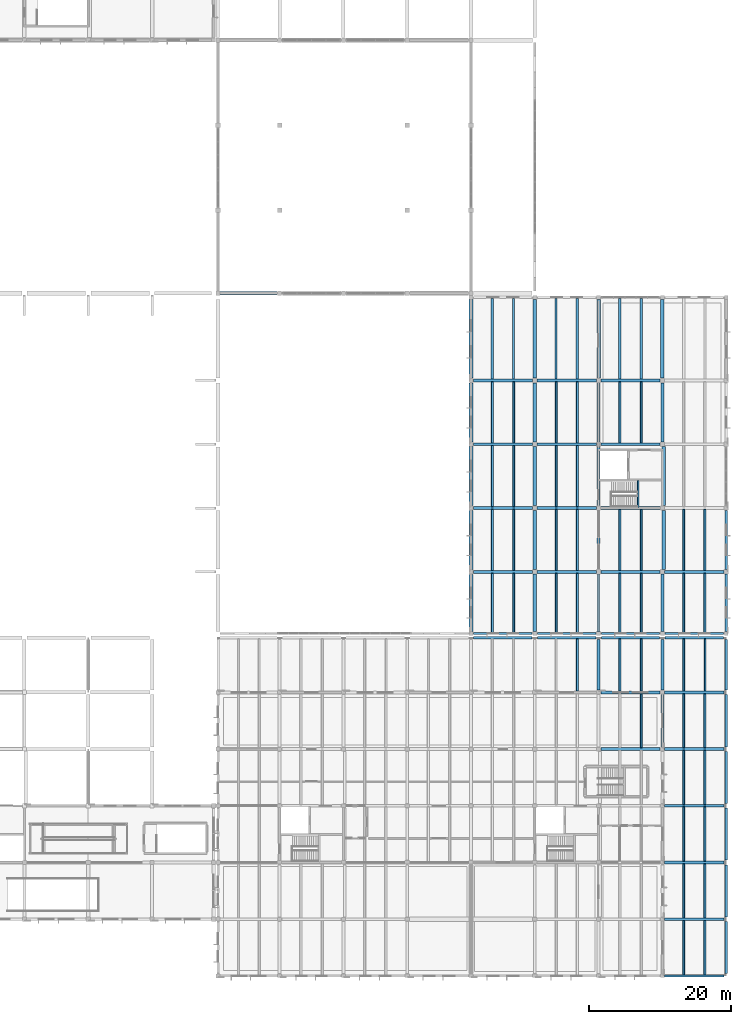
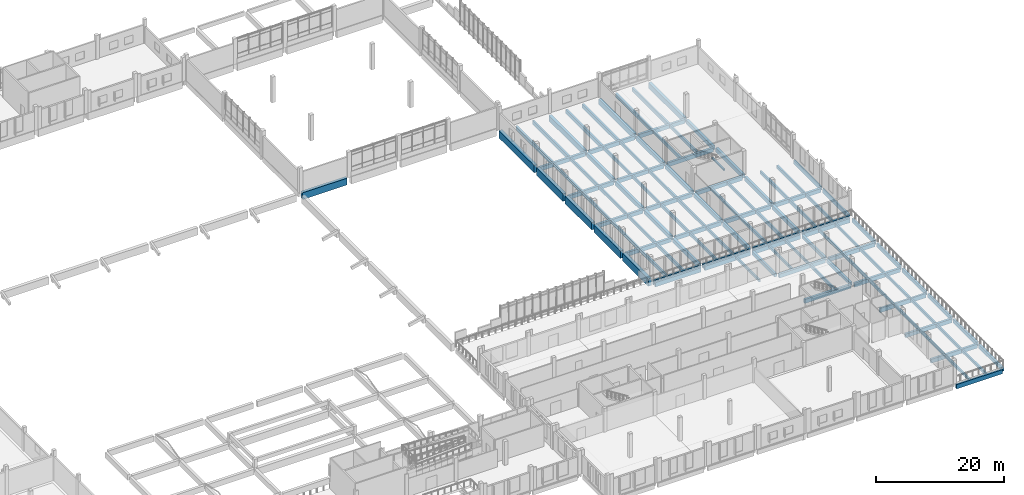
# One storey, part 17 of 63: 110 beams.
"""IFC4 building model written with IfcOpenShell, lengths in metres."""

from ifc_helpers import new_model, si_unit, direction, frame, origin, origin_2d, place, context, subcontext, project, spatial, rectangle, extrude, material, material_profile, profile_set, type_object, element, save


model = new_model("IFC4")

# Units and contexts
model_context = context("Model", 3, precision=1e-05, world=origin(), true_north=direction((0.0, 1.0)))
body_context = subcontext(model_context, "Body", "Model", "MODEL_VIEW")
ifc_project = project(units=[si_unit("LENGTHUNIT", "METRE"), si_unit("AREAUNIT", "SQUARE_METRE"), si_unit("VOLUMEUNIT", "CUBIC_METRE"), si_unit("PLANEANGLEUNIT", "RADIAN"), si_unit("MASSUNIT", "GRAM", prefix="KILO")], contexts=[model_context])

# Site, building, storey
site_placement = place(None, origin())
site = spatial("IfcSite", under=ifc_project, at=site_placement, CompositionType="ELEMENT")
building_placement = place(site_placement, origin())
building = spatial("IfcBuilding", under=site, at=building_placement, Name="Zacnel Wholesale Market", CompositionType="ELEMENT")
storey_placement = place(building_placement, frame((0.0, 0.0, 11.199951171875)))
storey = spatial("IfcBuildingStorey", under=building, at=storey_placement, Name="L03", CompositionType="ELEMENT", Elevation=11.199951171875)

# Beams
ifc_material_1 = material(Name="Precast concrete C45/55", Category="concrete")
ifc_material_profile_1 = material_profile(ifc_material_1, rectangle(XDim=0.280029296875, YDim=0.550048828125, at=origin_2d()), Name="DT RIB 280x550")
ifc_profile_set_1 = profile_set([ifc_material_profile_1], Name="Precast concrete C45/55")
beam_type_1 = type_object("IfcBeamType", Name="BM-DT550", PredefinedType="JOIST", material=ifc_profile_set_1)
for number, where, z_axis, x_axis, name in (
    (1, (210.0, 0.159912109375, -0.614990234375), (0.0, 1.0, 0.0), (-1.0, 0.0, 0.0), "Precast secondary joist L03-0361"),
    (2, (213.0, 0.159912109375, -0.614990234375), (0.0, 1.0, 0.0), (-1.0, 0.0, 0.0), "Precast secondary joist L03-0362"),
):
    element("IfcBeam", number, at=place(storey_placement, frame(where, z_axis=z_axis, x_axis=x_axis)), inside=storey, type_object=beam_type_1, Name=name, PredefinedType="JOIST", context=body_context, shape_type="SweptSolid", body=[
        extrude(rectangle(XDim=0.280029296875, YDim=0.550048828125, at=origin_2d()), origin(), (0.0, 0.0, 1.0), 7.64013671875),
    ])
for number, where, z_axis, x_axis, name in (
    (3, (210.0, 8.199951171875, -0.614990234375), (0.0, 1.0, 0.0), (-1.0, 0.0, 0.0), "Precast secondary joist L03-0379"),
    (4, (213.0, 8.199951171875, -0.614990234375), (0.0, 1.0, 0.0), (-1.0, 0.0, 0.0), "Precast secondary joist L03-0380"),
):
    element("IfcBeam", number, at=place(storey_placement, frame(where, z_axis=z_axis, x_axis=x_axis)), inside=storey, type_object=beam_type_1, Name=name, PredefinedType="JOIST", context=body_context, shape_type="SweptSolid", body=[
        extrude(rectangle(XDim=0.280029296875, YDim=0.550048828125, at=origin_2d()), origin(), (0.0, 0.0, 1.0), 7.60009765625),
    ])
for number, where, z_axis, x_axis, name in (
    (5, (210.0, 16.199951171875, -0.614990234375), (0.0, 1.0, 0.0), (-1.0, 0.0, 0.0), "Precast secondary joist L03-0391"),
    (6, (213.0, 16.199951171875, -0.614990234375), (0.0, 1.0, 0.0), (-1.0, 0.0, 0.0), "Precast secondary joist L03-0392"),
    (7, (210.0, 24.159912109375, -0.614990234375), (0.0, 1.0, 0.0), (-1.0, 0.0, 0.0), "Precast secondary joist L03-0419"),
    (8, (213.0, 24.159912109375, -0.614990234375), (0.0, 1.0, 0.0), (-1.0, 0.0, 0.0), "Precast secondary joist L03-0420"),
):
    element("IfcBeam", number, at=place(storey_placement, frame(where, z_axis=z_axis, x_axis=x_axis)), inside=storey, type_object=beam_type_1, Name=name, PredefinedType="JOIST", context=body_context, shape_type="SweptSolid", body=[
        extrude(rectangle(XDim=0.280029296875, YDim=0.550048828125, at=origin_2d()), origin(), (0.0, 0.0, 1.0), 7.64013671875),
    ])
for number, where, z_axis, x_axis, name in (
    (9, (204.0, 32.199951171875, -0.574951171875), (0.0, 1.0, 0.0), (-1.0, 0.0, 0.0), "Precast secondary joist L03-0444"),
    (10, (210.0, 32.199951171875, -0.614990234375), (0.0, 1.0, 0.0), (-1.0, 0.0, 0.0), "Precast secondary joist L03-0445"),
    (11, (213.0, 32.199951171875, -0.614990234375), (0.0, 1.0, 0.0), (-1.0, 0.0, 0.0), "Precast secondary joist L03-0446"),
):
    element("IfcBeam", number, at=place(storey_placement, frame(where, z_axis=z_axis, x_axis=x_axis)), inside=storey, type_object=beam_type_1, Name=name, PredefinedType="JOIST", context=body_context, shape_type="SweptSolid", body=[
        extrude(rectangle(XDim=0.280029296875, YDim=0.550048828125, at=origin_2d()), origin(), (0.0, 0.0, 1.0), 7.60009765625),
    ])
ifc_material_2 = material(Name="Precast concrete C45/55", Category="concrete")
ifc_material_profile_2 = material_profile(ifc_material_2, rectangle(XDim=0.280029296875, YDim=0.60009765625, at=origin_2d()), Name="DT RIB 280x600")
ifc_profile_set_2 = profile_set([ifc_material_profile_2], Name="Precast concrete C45/55")
beam_type_2 = type_object("IfcBeamType", Name="BM-DT600", PredefinedType="JOIST", material=ifc_profile_set_2)
for number, where, z_axis, x_axis, name in (
    (12, (183.0, 48.4599609375, -0.579833984375), (0.0, 1.0, 0.0), (-1.0, 0.0, 0.0), "Precast secondary joist L03-0487"),
    (13, (186.0, 48.4599609375, -0.579833984375), (0.0, 1.0, 0.0), (-1.0, 0.0, 0.0), "Precast secondary joist L03-0488"),
    (14, (192.0, 48.4599609375, -0.579833984375), (0.0, 1.0, 0.0), (-1.0, 0.0, 0.0), "Precast secondary joist L03-0489"),
    (15, (195.0, 48.4599609375, -0.579833984375), (0.0, 1.0, 0.0), (-1.0, 0.0, 0.0), "Precast secondary joist L03-0490"),
    (16, (201.0, 48.4599609375, -0.579833984375), (0.0, 1.0, 0.0), (-1.0, 0.0, 0.0), "Precast secondary joist L03-0491"),
    (17, (204.0, 48.4599609375, -0.579833984375), (0.0, 1.0, 0.0), (-1.0, 0.0, 0.0), "Precast secondary joist L03-0492"),
    (18, (210.0, 48.4599609375, -0.579833984375), (0.0, 1.0, 0.0), (-1.0, 0.0, 0.0), "Precast secondary joist L03-0493"),
    (19, (213.0, 48.4599609375, -0.579833984375), (0.0, 1.0, 0.0), (-1.0, 0.0, 0.0), "Precast secondary joist L03-0494"),
):
    element("IfcBeam", number, at=place(storey_placement, frame(where, z_axis=z_axis, x_axis=x_axis)), inside=storey, type_object=beam_type_2, Name=name, PredefinedType="JOIST", context=body_context, shape_type="SweptSolid", body=[
        extrude(rectangle(XDim=0.280029296875, YDim=0.60009765625, at=origin_2d()), origin(), (0.0, 0.0, 1.0), 8.340087890625),
    ])
for number, where, z_axis, x_axis, name in (
    (20, (183.0, 57.199951171875, -0.579833984375), (0.0, 1.0, 0.0), (-1.0, 0.0, 0.0), "Precast secondary joist L03-0507"),
    (21, (186.0, 57.199951171875, -0.579833984375), (0.0, 1.0, 0.0), (-1.0, 0.0, 0.0), "Precast secondary joist L03-0508"),
    (22, (192.0, 57.199951171875, -0.579833984375), (0.0, 1.0, 0.0), (-1.0, 0.0, 0.0), "Precast secondary joist L03-0509"),
    (23, (195.0, 57.199951171875, -0.579833984375), (0.0, 1.0, 0.0), (-1.0, 0.0, 0.0), "Precast secondary joist L03-0510"),
    (24, (201.0, 57.199951171875, -0.579833984375), (0.0, 1.0, 0.0), (-1.0, 0.0, 0.0), "Precast secondary joist L03-0511"),
    (25, (204.0, 57.199951171875, -0.579833984375), (0.0, 1.0, 0.0), (-1.0, 0.0, 0.0), "Precast secondary joist L03-0512"),
    (26, (210.0, 57.199951171875, -0.579833984375), (0.0, 1.0, 0.0), (-1.0, 0.0, 0.0), "Precast secondary joist L03-0513"),
    (27, (213.0, 57.199951171875, -0.579833984375), (0.0, 1.0, 0.0), (-1.0, 0.0, 0.0), "Precast secondary joist L03-0514"),
    (28, (183.0, 66.199951171875, -0.579833984375), (0.0, 1.0, 0.0), (-1.0, 0.0, 0.0), "Precast secondary joist L03-0527"),
    (29, (186.0, 66.199951171875, -0.579833984375), (0.0, 1.0, 0.0), (-1.0, 0.0, 0.0), "Precast secondary joist L03-0528"),
    (30, (192.0, 66.199951171875, -0.579833984375), (0.0, 1.0, 0.0), (-1.0, 0.0, 0.0), "Precast secondary joist L03-0529"),
    (31, (195.0, 66.199951171875, -0.579833984375), (0.0, 1.0, 0.0), (-1.0, 0.0, 0.0), "Precast secondary joist L03-0530"),
    (32, (183.0, 75.199951171875, -0.579833984375), (0.0, 1.0, 0.0), (-1.0, 0.0, 0.0), "Precast secondary joist L03-0543"),
    (33, (186.0, 75.199951171875, -0.579833984375), (0.0, 1.0, 0.0), (-1.0, 0.0, 0.0), "Precast secondary joist L03-0544"),
    (34, (192.0, 75.199951171875, -0.579833984375), (0.0, 1.0, 0.0), (-1.0, 0.0, 0.0), "Precast secondary joist L03-0545"),
    (35, (195.0, 75.199951171875, -0.579833984375), (0.0, 1.0, 0.0), (-1.0, 0.0, 0.0), "Precast secondary joist L03-0546"),
    (36, (201.0, 75.199951171875, -0.579833984375), (0.0, 1.0, 0.0), (-1.0, 0.0, 0.0), "Precast secondary joist L03-0547"),
    (37, (204.0, 75.199951171875, -0.579833984375), (0.0, 1.0, 0.0), (-1.0, 0.0, 0.0), "Precast secondary joist L03-0548"),
):
    element("IfcBeam", number, at=place(storey_placement, frame(where, z_axis=z_axis, x_axis=x_axis)), inside=storey, type_object=beam_type_2, Name=name, PredefinedType="JOIST", context=body_context, shape_type="SweptSolid", body=[
        extrude(rectangle(XDim=0.280029296875, YDim=0.60009765625, at=origin_2d()), origin(), (0.0, 0.0, 1.0), 8.60009765625),
    ])
ifc_material_3 = material(Name="Precast concrete C45/55", Category="concrete")
ifc_material_profile_3 = material_profile(ifc_material_3, rectangle(XDim=0.320068359375, YDim=0.75, at=origin_2d()), Name="DT RIB 320x750")
ifc_profile_set_3 = profile_set([ifc_material_profile_3], Name="Precast concrete C45/55")
beam_type_3 = type_object("IfcBeamType", Name="BM-DT750", PredefinedType="JOIST", material=ifc_profile_set_3)
for number, where, z_axis, x_axis, name in (
    (38, (183.0, 84.199951171875, -0.655029296875), (0.0, 1.0, 0.0), (-1.0, 0.0, 0.0), "Precast secondary joist L03-0563"),
    (39, (186.0, 84.199951171875, -0.655029296875), (0.0, 1.0, 0.0), (-1.0, 0.0, 0.0), "Precast secondary joist L03-0564"),
    (40, (192.0, 84.199951171875, -0.655029296875), (0.0, 1.0, 0.0), (-1.0, 0.0, 0.0), "Precast secondary joist L03-0565"),
    (41, (195.0, 84.199951171875, -0.655029296875), (0.0, 1.0, 0.0), (-1.0, 0.0, 0.0), "Precast secondary joist L03-0566"),
    (42, (201.0, 84.199951171875, -0.655029296875), (0.0, 1.0, 0.0), (-1.0, 0.0, 0.0), "Precast secondary joist L03-0567"),
    (43, (204.0, 84.199951171875, -0.655029296875), (0.0, 1.0, 0.0), (-1.0, 0.0, 0.0), "Precast secondary joist L03-0568"),
):
    element("IfcBeam", number, at=place(storey_placement, frame(where, z_axis=z_axis, x_axis=x_axis)), inside=storey, type_object=beam_type_3, Name=name, PredefinedType="JOIST", context=body_context, shape_type="SweptSolid", body=[
        extrude(rectangle(XDim=0.320068359375, YDim=0.75, at=origin_2d()), origin(), (0.0, 0.0, 1.0), 11.340087890625),
    ])
ifc_material_4 = material(Name="Precast concrete C45/55", Category="concrete")
ifc_material_profile_4 = material_profile(ifc_material_4, rectangle(XDim=0.25, YDim=0.35009765625, at=origin_2d()), Name="LN 250x350")
ifc_profile_set_4 = profile_set([ifc_material_profile_4], Name="Precast concrete C45/55")
beam_type_4 = type_object("IfcBeamType", Name="BM-LN350", PredefinedType="LINTEL", material=ifc_profile_set_4)
beam_1_placement = place(storey_placement, frame((203.56005859375, 66.080078125, 1.900146484375), z_axis=(0.0, 1.0, 0.0), x_axis=(-1.0, 0.0, 0.0)))
element("IfcBeam", 44, at=beam_1_placement, inside=storey, type_object=beam_type_4, Name="Stair ST-29 half-landing bearing beam", PredefinedType="LINTEL", context=body_context, shape_type="SweptSolid", body=[
    extrude(rectangle(XDim=0.25, YDim=0.35009765625, at=origin_2d()), origin(), (0.0, 0.0, 1.0), 3.7900390625),
])
ifc_material_5 = material(Name="Precast concrete C45/55", Category="concrete")
ifc_material_profile_5 = material_profile(ifc_material_5, rectangle(XDim=0.5, YDim=1.050048828125, at=origin_2d()), Name="PG 500x1050")
ifc_profile_set_5 = profile_set([ifc_material_profile_5], Name="Precast concrete C45/55")
beam_type_5 = type_object("IfcBeamType", Name="BM-PG1050", PredefinedType="T_BEAM", material=ifc_profile_set_5)
for number, where, z_axis, x_axis, name in (
    (45, (189.0, 84.324951171875, -0.804931640625), (0.0, 1.0, 0.0), (-1.0, 0.0, 0.0), "Precast girder Y-0975"),
    (46, (198.0, 84.324951171875, -0.804931640625), (0.0, 1.0, 0.0), (-1.0, 0.0, 0.0), "Precast girder Y-0987"),
    (47, (207.0, 84.324951171875, -0.804931640625), (0.0, 1.0, 0.0), (-1.0, 0.0, 0.0), "Precast girder Y-0998"),
):
    element("IfcBeam", number, at=place(storey_placement, frame(where, z_axis=z_axis, x_axis=x_axis)), inside=storey, type_object=beam_type_5, Name=name, PredefinedType="T_BEAM", context=body_context, shape_type="SweptSolid", body=[
        extrude(rectangle(XDim=0.5, YDim=1.050048828125, at=origin_2d()), origin(), (0.0, 0.0, 1.0), 11.10009765625),
    ])
ifc_material_6 = material(Name="Precast concrete C45/55", Category="concrete")
ifc_material_profile_6 = material_profile(ifc_material_6, rectangle(XDim=0.39990234375, YDim=0.64990234375, at=origin_2d()), Name="PG 400x650")
ifc_profile_set_6 = profile_set([ifc_material_profile_6], Name="Precast concrete C45/55")
beam_type_6 = type_object("IfcBeamType", Name="BM-PG650", PredefinedType="BEAM", material=ifc_profile_set_6)
beam_2_placement = place(storey_placement, frame((198.0, 40.324951171875, -0.6650390625), z_axis=(0.0, 1.0, 0.0), x_axis=(-1.0, 0.0, 0.0)))
element("IfcBeam", 48, at=beam_2_placement, inside=storey, type_object=beam_type_6, Name="Precast girder Y-0982", PredefinedType="BEAM", context=body_context, shape_type="SweptSolid", body=[
    extrude(rectangle(XDim=0.39990234375, YDim=0.64990234375, at=origin_2d()), origin(), (0.0, 0.0, 1.0), 7.10009765625),
])
beam_3_placement = place(storey_placement, frame((207.0, 32.324951171875, -0.625), z_axis=(0.0, 1.0, 0.0), x_axis=(-1.0, 0.0, 0.0)))
element("IfcBeam", 49, at=beam_3_placement, inside=storey, type_object=beam_type_6, Name="Precast girder Y-0992", PredefinedType="BEAM", context=body_context, shape_type="SweptSolid", body=[
    extrude(rectangle(XDim=0.39990234375, YDim=0.64990234375, at=origin_2d()), origin(), (0.0, 0.0, 1.0), 7.35009765625),
])
beam_4_placement = place(storey_placement, frame((207.0, 40.324951171875, -0.6650390625), z_axis=(0.0, 1.0, 0.0), x_axis=(-1.0, 0.0, 0.0)))
element("IfcBeam", 50, at=beam_4_placement, inside=storey, type_object=beam_type_6, Name="Precast girder Y-0993", PredefinedType="BEAM", context=body_context, shape_type="SweptSolid", body=[
    extrude(rectangle(XDim=0.39990234375, YDim=0.64990234375, at=origin_2d()), origin(), (0.0, 0.0, 1.0), 7.10009765625),
])
ifc_material_7 = material(Name="Precast concrete C45/55", Category="concrete")
ifc_material_profile_7 = material_profile(ifc_material_7, rectangle(XDim=0.39990234375, YDim=0.75, at=origin_2d()), Name="PG 400x750")
ifc_profile_set_7 = profile_set([ifc_material_profile_7], Name="Precast concrete C45/55")
beam_type_7 = type_object("IfcBeamType", Name="BM-PG750", PredefinedType="BEAM", material=ifc_profile_set_7)
for number, where, z_axis, x_axis, name in (
    (51, (207.324951171875, 8.0, -0.71484375), (1.0, 0.0, 0.0), (0.0, 1.0, 0.0), "Precast girder X-0578"),
    (52, (207.324951171875, 16.0, -0.71484375), (1.0, 0.0, 0.0), (0.0, 1.0, 0.0), "Precast girder X-0594"),
    (53, (198.324951171875, 32.0, -0.675048828125), (1.0, 0.0, 0.0), (0.0, 1.0, 0.0), "Precast girder X-0629"),
    (54, (207.324951171875, 32.0, -0.71484375), (1.0, 0.0, 0.0), (0.0, 1.0, 0.0), "Precast girder X-0630"),
    (55, (198.324951171875, 40.0, -0.675048828125), (1.0, 0.0, 0.0), (0.0, 1.0, 0.0), "Precast girder X-0648"),
    (56, (207.324951171875, 40.0, -0.71484375), (1.0, 0.0, 0.0), (0.0, 1.0, 0.0), "Precast girder X-0649"),
):
    element("IfcBeam", number, at=place(storey_placement, frame(where, z_axis=z_axis, x_axis=x_axis)), inside=storey, type_object=beam_type_7, Name=name, PredefinedType="BEAM", context=body_context, shape_type="SweptSolid", body=[
        extrude(rectangle(XDim=0.39990234375, YDim=0.75, at=origin_2d()), origin(), (0.0, 0.0, 1.0), 8.35009765625),
    ])
beam_5_placement = place(storey_placement, frame((180.35009765625, 57.0, -0.655029296875), z_axis=(1.0, 0.0, 0.0), x_axis=(0.0, 1.0, 0.0)))
element("IfcBeam", 57, at=beam_5_placement, inside=storey, type_object=beam_type_7, Name="Precast girder X-0686", PredefinedType="BEAM", context=body_context, shape_type="SweptSolid", body=[
    extrude(rectangle(XDim=0.39990234375, YDim=0.75, at=origin_2d()), origin(), (0.0, 0.0, 1.0), 8.324951171875),
])
for number, where, z_axis, x_axis, name in (
    (58, (189.324951171875, 57.0, -0.655029296875), (1.0, 0.0, 0.0), (0.0, 1.0, 0.0), "Precast girder X-0687"),
    (59, (198.324951171875, 57.0, -0.655029296875), (1.0, 0.0, 0.0), (0.0, 1.0, 0.0), "Precast girder X-0688"),
    (60, (207.324951171875, 57.0, -0.655029296875), (1.0, 0.0, 0.0), (0.0, 1.0, 0.0), "Precast girder X-0689"),
):
    element("IfcBeam", number, at=place(storey_placement, frame(where, z_axis=z_axis, x_axis=x_axis)), inside=storey, type_object=beam_type_7, Name=name, PredefinedType="BEAM", context=body_context, shape_type="SweptSolid", body=[
        extrude(rectangle(XDim=0.39990234375, YDim=0.75, at=origin_2d()), origin(), (0.0, 0.0, 1.0), 8.35009765625),
    ])
beam_6_placement = place(storey_placement, frame((180.35009765625, 66.0, -0.655029296875), z_axis=(1.0, 0.0, 0.0), x_axis=(0.0, 1.0, 0.0)))
element("IfcBeam", 61, at=beam_6_placement, inside=storey, type_object=beam_type_7, Name="Precast girder X-0696", PredefinedType="BEAM", context=body_context, shape_type="SweptSolid", body=[
    extrude(rectangle(XDim=0.39990234375, YDim=0.75, at=origin_2d()), origin(), (0.0, 0.0, 1.0), 8.324951171875),
])
for number, where, z_axis, x_axis, name in (
    (62, (189.324951171875, 66.0, -0.655029296875), (1.0, 0.0, 0.0), (0.0, 1.0, 0.0), "Precast girder X-0697"),
    (63, (198.324951171875, 66.0, -0.655029296875), (1.0, 0.0, 0.0), (0.0, 1.0, 0.0), "Precast girder X-0698"),
):
    element("IfcBeam", number, at=place(storey_placement, frame(where, z_axis=z_axis, x_axis=x_axis)), inside=storey, type_object=beam_type_7, Name=name, PredefinedType="BEAM", context=body_context, shape_type="SweptSolid", body=[
        extrude(rectangle(XDim=0.39990234375, YDim=0.75, at=origin_2d()), origin(), (0.0, 0.0, 1.0), 8.35009765625),
    ])
beam_7_placement = place(storey_placement, frame((180.35009765625, 75.0, -0.655029296875), z_axis=(1.0, 0.0, 0.0), x_axis=(0.0, 1.0, 0.0)))
element("IfcBeam", 64, at=beam_7_placement, inside=storey, type_object=beam_type_7, Name="Precast girder X-0706", PredefinedType="BEAM", context=body_context, shape_type="SweptSolid", body=[
    extrude(rectangle(XDim=0.39990234375, YDim=0.75, at=origin_2d()), origin(), (0.0, 0.0, 1.0), 8.324951171875),
])
for number, where, z_axis, x_axis, name in (
    (65, (189.324951171875, 75.0, -0.655029296875), (1.0, 0.0, 0.0), (0.0, 1.0, 0.0), "Precast girder X-0707"),
    (66, (198.324951171875, 75.0, -0.655029296875), (1.0, 0.0, 0.0), (0.0, 1.0, 0.0), "Precast girder X-0708"),
):
    element("IfcBeam", number, at=place(storey_placement, frame(where, z_axis=z_axis, x_axis=x_axis)), inside=storey, type_object=beam_type_7, Name=name, PredefinedType="BEAM", context=body_context, shape_type="SweptSolid", body=[
        extrude(rectangle(XDim=0.39990234375, YDim=0.75, at=origin_2d()), origin(), (0.0, 0.0, 1.0), 8.35009765625),
    ])
beam_8_placement = place(storey_placement, frame((180.35009765625, 84.0, -0.655029296875), z_axis=(1.0, 0.0, 0.0), x_axis=(0.0, 1.0, 0.0)))
element("IfcBeam", 67, at=beam_8_placement, inside=storey, type_object=beam_type_7, Name="Precast girder X-0716", PredefinedType="BEAM", context=body_context, shape_type="SweptSolid", body=[
    extrude(rectangle(XDim=0.39990234375, YDim=0.75, at=origin_2d()), origin(), (0.0, 0.0, 1.0), 8.324951171875),
])
for number, where, z_axis, x_axis, name in (
    (68, (189.324951171875, 84.0, -0.655029296875), (1.0, 0.0, 0.0), (0.0, 1.0, 0.0), "Precast girder X-0717"),
    (69, (198.324951171875, 84.0, -0.655029296875), (1.0, 0.0, 0.0), (0.0, 1.0, 0.0), "Precast girder X-0718"),
):
    element("IfcBeam", number, at=place(storey_placement, frame(where, z_axis=z_axis, x_axis=x_axis)), inside=storey, type_object=beam_type_7, Name=name, PredefinedType="BEAM", context=body_context, shape_type="SweptSolid", body=[
        extrude(rectangle(XDim=0.39990234375, YDim=0.75, at=origin_2d()), origin(), (0.0, 0.0, 1.0), 8.35009765625),
    ])
ifc_material_8 = material(Name="Precast concrete C45/55", Category="concrete")
ifc_material_profile_8 = material_profile(ifc_material_8, rectangle(XDim=0.449951171875, YDim=0.800048828125, at=origin_2d()), Name="PG 450x800")
ifc_profile_set_8 = profile_set([ifc_material_profile_8], Name="Precast concrete C45/55")
beam_type_8 = type_object("IfcBeamType", Name="BM-PG800", PredefinedType="BEAM", material=ifc_profile_set_8)
beam_9_placement = place(storey_placement, frame((189.0, 48.574951171875, -0.679931640625), z_axis=(0.0, 1.0, 0.0), x_axis=(-1.0, 0.0, 0.0)))
element("IfcBeam", 70, at=beam_9_placement, inside=storey, type_object=beam_type_8, Name="Precast girder Y-0971", PredefinedType="BEAM", context=body_context, shape_type="SweptSolid", body=[
    extrude(rectangle(XDim=0.449951171875, YDim=0.800048828125, at=origin_2d()), origin(), (0.0, 0.0, 1.0), 8.10009765625),
])
for number, where, z_axis, x_axis, name in (
    (71, (189.0, 57.324951171875, -0.679931640625), (0.0, 1.0, 0.0), (-1.0, 0.0, 0.0), "Precast girder Y-0972"),
    (72, (189.0, 66.324951171875, -0.679931640625), (0.0, 1.0, 0.0), (-1.0, 0.0, 0.0), "Precast girder Y-0973"),
    (73, (189.0, 75.324951171875, -0.679931640625), (0.0, 1.0, 0.0), (-1.0, 0.0, 0.0), "Precast girder Y-0974"),
):
    element("IfcBeam", number, at=place(storey_placement, frame(where, z_axis=z_axis, x_axis=x_axis)), inside=storey, type_object=beam_type_8, Name=name, PredefinedType="BEAM", context=body_context, shape_type="SweptSolid", body=[
        extrude(rectangle(XDim=0.449951171875, YDim=0.800048828125, at=origin_2d()), origin(), (0.0, 0.0, 1.0), 8.35009765625),
    ])
beam_10_placement = place(storey_placement, frame((198.0, 48.574951171875, -0.679931640625), z_axis=(0.0, 1.0, 0.0), x_axis=(-1.0, 0.0, 0.0)))
element("IfcBeam", 74, at=beam_10_placement, inside=storey, type_object=beam_type_8, Name="Precast girder Y-0983", PredefinedType="BEAM", context=body_context, shape_type="SweptSolid", body=[
    extrude(rectangle(XDim=0.449951171875, YDim=0.800048828125, at=origin_2d()), origin(), (0.0, 0.0, 1.0), 8.10009765625),
])
for number, where, z_axis, x_axis, name in (
    (75, (198.0, 57.324951171875, -0.679931640625), (0.0, 1.0, 0.0), (-1.0, 0.0, 0.0), "Precast girder Y-0984"),
    (76, (198.0, 66.324951171875, -0.679931640625), (0.0, 1.0, 0.0), (-1.0, 0.0, 0.0), "Precast girder Y-0985"),
    (77, (198.0, 75.324951171875, -0.679931640625), (0.0, 1.0, 0.0), (-1.0, 0.0, 0.0), "Precast girder Y-0986"),
):
    element("IfcBeam", number, at=place(storey_placement, frame(where, z_axis=z_axis, x_axis=x_axis)), inside=storey, type_object=beam_type_8, Name=name, PredefinedType="BEAM", context=body_context, shape_type="SweptSolid", body=[
        extrude(rectangle(XDim=0.449951171875, YDim=0.800048828125, at=origin_2d()), origin(), (0.0, 0.0, 1.0), 8.35009765625),
    ])
beam_11_placement = place(storey_placement, frame((207.0, 48.574951171875, -0.679931640625), z_axis=(0.0, 1.0, 0.0), x_axis=(-1.0, 0.0, 0.0)))
element("IfcBeam", 78, at=beam_11_placement, inside=storey, type_object=beam_type_8, Name="Precast girder Y-0994", PredefinedType="BEAM", context=body_context, shape_type="SweptSolid", body=[
    extrude(rectangle(XDim=0.449951171875, YDim=0.800048828125, at=origin_2d()), origin(), (0.0, 0.0, 1.0), 8.10009765625),
])
for number, where, z_axis, x_axis, name in (
    (79, (207.179931640625, 57.324951171875, -0.679931640625), (0.0, 1.0, 0.0), (-1.0, 0.0, 0.0), "Precast girder Y-0995"),
    (80, (207.179931640625, 66.324951171875, -0.679931640625), (0.0, 1.0, 0.0), (-1.0, 0.0, 0.0), "Precast girder Y-0996"),
    (81, (207.0, 75.324951171875, -0.679931640625), (0.0, 1.0, 0.0), (-1.0, 0.0, 0.0), "Precast girder Y-0997"),
):
    element("IfcBeam", number, at=place(storey_placement, frame(where, z_axis=z_axis, x_axis=x_axis)), inside=storey, type_object=beam_type_8, Name=name, PredefinedType="BEAM", context=body_context, shape_type="SweptSolid", body=[
        extrude(rectangle(XDim=0.449951171875, YDim=0.800048828125, at=origin_2d()), origin(), (0.0, 0.0, 1.0), 8.35009765625),
    ])
ifc_material_9 = material(Name="Precast concrete C45/55", Category="concrete")
ifc_material_profile_9 = material_profile(ifc_material_9, rectangle(XDim=0.260009765625, YDim=0.5, at=origin_2d()), Name="PJ 260x500")
ifc_profile_set_9 = profile_set([ifc_material_profile_9], Name="Precast concrete C45/55")
beam_type_9 = type_object("IfcBeamType", Name="BM-PJ500", PredefinedType="HOLLOWCORE", material=ifc_profile_set_9)
for number, where, z_axis, x_axis, name in (
    (82, (195.0, 40.199951171875, -0.58984375), (0.0, 1.0, 0.0), (-1.0, 0.0, 0.0), "Precast secondary joist L03-0470"),
    (83, (201.0, 40.199951171875, -0.58984375), (0.0, 1.0, 0.0), (-1.0, 0.0, 0.0), "Precast secondary joist L03-0471"),
    (84, (204.0, 40.199951171875, -0.58984375), (0.0, 1.0, 0.0), (-1.0, 0.0, 0.0), "Precast secondary joist L03-0472"),
    (85, (210.0, 40.199951171875, -0.58984375), (0.0, 1.0, 0.0), (-1.0, 0.0, 0.0), "Precast secondary joist L03-0473"),
    (86, (213.0, 40.199951171875, -0.58984375), (0.0, 1.0, 0.0), (-1.0, 0.0, 0.0), "Precast secondary joist L03-0474"),
):
    element("IfcBeam", number, at=place(storey_placement, frame(where, z_axis=z_axis, x_axis=x_axis)), inside=storey, type_object=beam_type_9, Name=name, PredefinedType="HOLLOWCORE", context=body_context, shape_type="SweptSolid", body=[
        extrude(rectangle(XDim=0.260009765625, YDim=0.5, at=origin_2d()), origin(), (0.0, 0.0, 1.0), 7.340087890625),
    ])
ifc_material_10 = material(Name="Concrete C40/50", Category="concrete")
ifc_material_profile_10 = material_profile(ifc_material_10, rectangle(XDim=0.550048828125, YDim=1.300048828125, at=origin_2d()), Name="PTB 550x1300")
ifc_profile_set_10 = profile_set([ifc_material_profile_10], Name="Concrete C40/50")
beam_type_10 = type_object("IfcBeamType", Name="BM-PTB1300", PredefinedType="BEAM", material=ifc_profile_set_10)
beam_12_placement = place(storey_placement, frame((144.574951171875, 96.300048828125, -0.64990234375), z_axis=(1.0, 0.0, 0.0), x_axis=(0.0, 1.0, 0.0)))
element("IfcBeam", 87, at=beam_12_placement, inside=storey, type_object=beam_type_10, Name="Precast girder X-0744", PredefinedType="BEAM", context=body_context, shape_type="SweptSolid", body=[
    extrude(rectangle(XDim=0.550048828125, YDim=1.300048828125, at=origin_2d()), origin(), (0.0, 0.0, 1.0), 8.050048828125),
])
ifc_material_11 = material(Name="Concrete C40/50", Category="concrete")
ifc_material_profile_11 = material_profile(ifc_material_11, rectangle(XDim=0.60009765625, YDim=1.39990234375, at=origin_2d()), Name="PTB 600x1400")
ifc_profile_set_11 = profile_set([ifc_material_profile_11], Name="Concrete C40/50")
beam_type_11 = type_object("IfcBeamType", Name="BM-PTB1400", PredefinedType="BEAM", material=ifc_profile_set_11)
beam_13_placement = place(storey_placement, frame((180.0, 48.574951171875, -0.699951171875), z_axis=(0.0, 1.0, 0.0), x_axis=(-1.0, 0.0, 0.0)))
element("IfcBeam", 88, at=beam_13_placement, inside=storey, type_object=beam_type_11, Name="Precast girder Y-0959", PredefinedType="BEAM", context=body_context, shape_type="SweptSolid", body=[
    extrude(rectangle(XDim=0.60009765625, YDim=1.39990234375, at=origin_2d()), origin(), (0.0, 0.0, 1.0), 8.074951171875),
])
for number, where, z_axis, x_axis, name in (
    (89, (180.0, 57.35009765625, -0.699951171875), (0.0, 1.0, 0.0), (-1.0, 0.0, 0.0), "Precast girder Y-0960"),
    (90, (180.0, 66.35009765625, -0.699951171875), (0.0, 1.0, 0.0), (-1.0, 0.0, 0.0), "Precast girder Y-0961"),
    (91, (180.0, 75.35009765625, -0.699951171875), (0.0, 1.0, 0.0), (-1.0, 0.0, 0.0), "Precast girder Y-0962"),
):
    element("IfcBeam", number, at=place(storey_placement, frame(where, z_axis=z_axis, x_axis=x_axis)), inside=storey, type_object=beam_type_11, Name=name, PredefinedType="BEAM", context=body_context, shape_type="SweptSolid", body=[
        extrude(rectangle(XDim=0.60009765625, YDim=1.39990234375, at=origin_2d()), origin(), (0.0, 0.0, 1.0), 8.2998046875),
    ])
beam_14_placement = place(storey_placement, frame((180.0, 84.35009765625, -0.699951171875), z_axis=(0.0, 1.0, 0.0), x_axis=(-1.0, 0.0, 0.0)))
element("IfcBeam", 92, at=beam_14_placement, inside=storey, type_object=beam_type_11, Name="Precast girder Y-0963", PredefinedType="BEAM", context=body_context, shape_type="SweptSolid", body=[
    extrude(rectangle(XDim=0.60009765625, YDim=1.39990234375, at=origin_2d()), origin(), (0.0, 0.0, 1.0), 11.074951171875),
])
ifc_material_12 = material(Name="Precast concrete C45/55", Category="concrete")
ifc_material_profile_12 = material_profile(ifc_material_12, rectangle(XDim=0.300048828125, YDim=0.75, at=origin_2d()), Name="SP 300x750")
ifc_profile_set_12 = profile_set([ifc_material_profile_12], Name="Precast concrete C45/55")
beam_type_12 = type_object("IfcBeamType", Name="BM-SP750", PredefinedType="SPANDREL", material=ifc_profile_set_12)
for number, where, z_axis, x_axis, name in (
    (93, (216.0, 0.324951171875, -0.71484375), (0.0, 1.0, 0.0), (-1.0, 0.0, 0.0), "Precast girder Y-0999"),
    (94, (216.0, 8.324951171875, -0.71484375), (0.0, 1.0, 0.0), (-1.0, 0.0, 0.0), "Precast girder Y-1000"),
    (95, (216.0, 16.324951171875, -0.71484375), (0.0, 1.0, 0.0), (-1.0, 0.0, 0.0), "Precast girder Y-1001"),
    (96, (216.0, 24.324951171875, -0.71484375), (0.0, 1.0, 0.0), (-1.0, 0.0, 0.0), "Precast girder Y-1002"),
    (97, (216.0, 32.324951171875, -0.71484375), (0.0, 1.0, 0.0), (-1.0, 0.0, 0.0), "Precast girder Y-1003"),
):
    element("IfcBeam", number, at=place(storey_placement, frame(where, z_axis=z_axis, x_axis=x_axis)), inside=storey, type_object=beam_type_12, Name=name, PredefinedType="SPANDREL", context=body_context, shape_type="SweptSolid", body=[
        extrude(rectangle(XDim=0.300048828125, YDim=0.75, at=origin_2d()), origin(), (0.0, 0.0, 1.0), 7.35009765625),
    ])
beam_15_placement = place(storey_placement, frame((216.0, 40.324951171875, -0.71484375), z_axis=(0.0, 1.0, 0.0), x_axis=(-1.0, 0.0, 0.0)))
element("IfcBeam", 98, at=beam_15_placement, inside=storey, type_object=beam_type_12, Name="Precast girder Y-1004", PredefinedType="SPANDREL", context=body_context, shape_type="SweptSolid", body=[
    extrude(rectangle(XDim=0.300048828125, YDim=0.75, at=origin_2d()), origin(), (0.0, 0.0, 1.0), 7.10009765625),
])
beam_16_placement = place(storey_placement, frame((216.0, 48.574951171875, -0.655029296875), z_axis=(0.0, 1.0, 0.0), x_axis=(-1.0, 0.0, 0.0)))
element("IfcBeam", 99, at=beam_16_placement, inside=storey, type_object=beam_type_12, Name="Precast girder Y-1005", PredefinedType="SPANDREL", context=body_context, shape_type="SweptSolid", body=[
    extrude(rectangle(XDim=0.300048828125, YDim=0.75, at=origin_2d()), origin(), (0.0, 0.0, 1.0), 8.10009765625),
])
beam_17_placement = place(storey_placement, frame((216.0, 57.324951171875, -0.655029296875), z_axis=(0.0, 1.0, 0.0), x_axis=(-1.0, 0.0, 0.0)))
element("IfcBeam", 100, at=beam_17_placement, inside=storey, type_object=beam_type_12, Name="Precast girder Y-1006", PredefinedType="SPANDREL", context=body_context, shape_type="SweptSolid", body=[
    extrude(rectangle(XDim=0.300048828125, YDim=0.75, at=origin_2d()), origin(), (0.0, 0.0, 1.0), 8.35009765625),
])
ifc_material_13 = material(Name="Precast concrete C45/55", Category="concrete")
ifc_material_profile_13 = material_profile(ifc_material_13, rectangle(XDim=0.320068359375, YDim=0.820068359375, at=origin_2d()), Name="SP 320x820")
ifc_profile_set_13 = profile_set([ifc_material_profile_13], Name="Precast concrete C45/55")
beam_type_13 = type_object("IfcBeamType", Name="BM-SP820", PredefinedType="SPANDREL", material=ifc_profile_set_13)
for number, where, z_axis, x_axis, name in (
    (101, (207.324951171875, 0.0, -0.75), (1.0, 0.0, 0.0), (0.0, 1.0, 0.0), "Precast girder X-0567"),
    (102, (207.324951171875, 24.0, -0.75), (1.0, 0.0, 0.0), (0.0, 1.0, 0.0), "Precast girder X-0611"),
):
    element("IfcBeam", number, at=place(storey_placement, frame(where, z_axis=z_axis, x_axis=x_axis)), inside=storey, type_object=beam_type_13, Name=name, PredefinedType="SPANDREL", context=body_context, shape_type="SweptSolid", body=[
        extrude(rectangle(XDim=0.320068359375, YDim=0.820068359375, at=origin_2d()), origin(), (0.0, 0.0, 1.0), 8.35009765625),
    ])
for number, where, z_axis, x_axis, name in (
    (103, (180.375, 47.699951171875, -0.75), (1.0, 0.0, 0.0), (0.0, 1.0, 0.0), "Precast girder X-0666"),
    (104, (189.375, 47.699951171875, -0.75), (1.0, 0.0, 0.0), (0.0, 1.0, 0.0), "Precast girder X-0667"),
    (105, (198.375, 47.699951171875, -0.75), (1.0, 0.0, 0.0), (0.0, 1.0, 0.0), "Precast girder X-0668"),
    (106, (207.375, 47.699951171875, -0.75), (1.0, 0.0, 0.0), (0.0, 1.0, 0.0), "Precast girder X-0669"),
    (107, (180.375, 48.300048828125, -0.68994140625), (1.0, 0.0, 0.0), (0.0, 1.0, 0.0), "Precast girder X-0676"),
    (108, (189.375, 48.300048828125, -0.68994140625), (1.0, 0.0, 0.0), (0.0, 1.0, 0.0), "Precast girder X-0677"),
    (109, (198.375, 48.300048828125, -0.68994140625), (1.0, 0.0, 0.0), (0.0, 1.0, 0.0), "Precast girder X-0678"),
    (110, (207.375, 48.300048828125, -0.68994140625), (1.0, 0.0, 0.0), (0.0, 1.0, 0.0), "Precast girder X-0679"),
):
    element("IfcBeam", number, at=place(storey_placement, frame(where, z_axis=z_axis, x_axis=x_axis)), inside=storey, type_object=beam_type_13, Name=name, PredefinedType="SPANDREL", context=body_context, shape_type="SweptSolid", body=[
        extrude(rectangle(XDim=0.320068359375, YDim=0.820068359375, at=origin_2d()), origin(), (0.0, 0.0, 1.0), 8.25),
    ])

save(model, "model.ifc")
